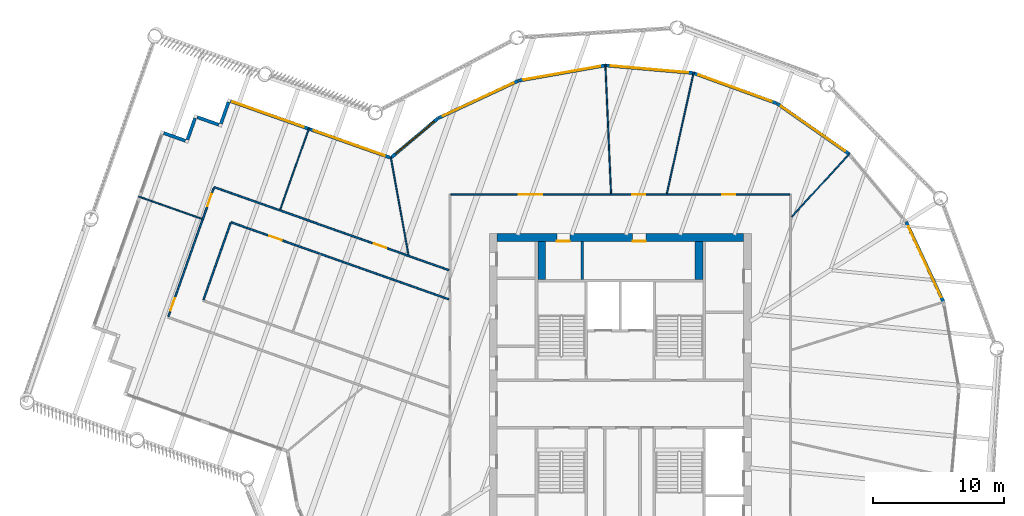
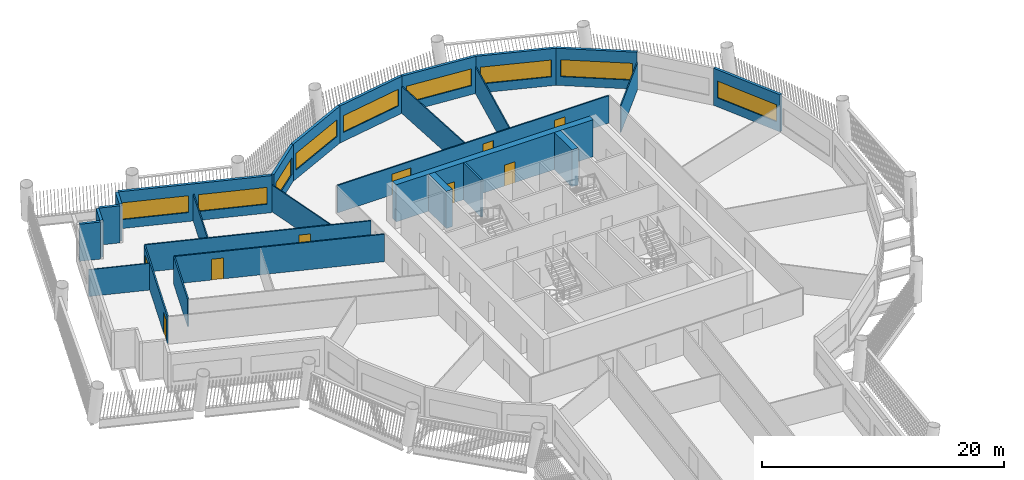
# One storey, part 6 of 15: 27 walls, 9 doors, 9 windows, 18 openings.
"""IFC4 building model written with IfcOpenShell, lengths in metres."""

import ifcopenshell
import ifcopenshell.guid

model = None  # the IFC model being written
_history = None  # IfcOwnerHistory: only IFC2X3 demands one
_inside = {}  # id of a spatial element -> (the spatial element, [elements in it])
_under = {}  # id of a project, library or spatial element -> (it, [spatial elements below it])
_declared = {}  # id of a project -> (the project, [libraries it declares])
_typed = {}  # id of a type object -> (the type object, [elements of that type])
_made_of = {}  # id of a material, layer set ... -> (it, [elements and type objects made of it])


def new_model(schema):
    """Start an empty IFC model of exactly this schema.

    Asked for "IFC4X3", IfcOpenShell would pick the latest addendum, in which some entities
    have other attributes; the version numbers below select the first issue.
    IFC2X3 requires an IfcOwnerHistory on every rooted entity: one is made here for all.
    """
    global model, _history
    if schema == "IFC4X3":
        model = ifcopenshell.file(schema_version=(4, 3, 0, 0))
    else:
        model = ifcopenshell.file(schema=schema)
    _inside.clear()
    _under.clear()
    _declared.clear()
    _typed.clear()
    _made_of.clear()
    _history = None
    if model.schema == "IFC2X3":
        org = make("IfcOrganization", Name="unknown")
        user = make(
            "IfcPersonAndOrganization",
            ThePerson=make("IfcPerson", FamilyName="unknown"),
            TheOrganization=org,
        )
        app = make(
            "IfcApplication",
            ApplicationDeveloper=org,
            Version="unknown",
            ApplicationFullName="unknown",
            ApplicationIdentifier="unknown",
        )
        _history = make(
            "IfcOwnerHistory",
            OwningUser=user,
            OwningApplication=app,
            ChangeAction="ADDED",
            CreationDate=0,
        )
    return model


def make(cls, **values):
    """One entity of the class cls with the attributes given. An attribute that is None is left unset."""
    return model.create_entity(
        cls, **{name: value for name, value in values.items() if value is not None}
    )


def rooted(cls, **values):
    """An entity with a GlobalId (a new one), such as an element, a storey or a relation."""
    return make(cls, GlobalId=ifcopenshell.guid.new(), OwnerHistory=_history, **values)


def si_unit(unit_type, name, prefix=None):
    """IfcSIUnit, for example si_unit("LENGTHUNIT", "METRE", prefix="MILLI")."""
    return make("IfcSIUnit", UnitType=unit_type, Prefix=prefix, Name=name)


def assignment(units):
    """IfcUnitAssignment: the units of a project."""
    return None if units is None else make("IfcUnitAssignment", Units=units)


def point(xyz):
    """IfcCartesianPoint."""
    return None if xyz is None else make("IfcCartesianPoint", Coordinates=xyz)


def direction(xyz):
    """IfcDirection."""
    return None if xyz is None else make("IfcDirection", DirectionRatios=xyz)


def frame(location, z_axis=None, x_axis=None):
    """IfcAxis2Placement3D, a coordinate frame: its origin and axes. An axis left out is left unset."""
    return make(
        "IfcAxis2Placement3D",
        Location=point(location),
        Axis=direction(z_axis),
        RefDirection=direction(x_axis),
    )


def frame_2d(location, x_axis=None):
    """IfcAxis2Placement2D, a coordinate frame in the plane: its origin and x axis."""
    return make(
        "IfcAxis2Placement2D", Location=point(location), RefDirection=direction(x_axis)
    )


def origin():
    """The frame at (0, 0, 0) with its axes left unset."""
    return frame((0.0, 0.0, 0.0))


def place(relative_to, where):
    """IfcLocalPlacement: puts the frame where relative to a parent placement (None: the world)."""
    return make(
        "IfcLocalPlacement", PlacementRelTo=relative_to, RelativePlacement=where
    )


def context(
    kind, dimensions, precision=None, world=None, true_north=None, identifier=None
):
    """IfcGeometricRepresentationContext, for example the 3D "Model" context."""
    return make(
        "IfcGeometricRepresentationContext",
        ContextIdentifier=identifier,
        ContextType=kind,
        CoordinateSpaceDimension=dimensions,
        Precision=precision,
        WorldCoordinateSystem=world,
        TrueNorth=true_north,
    )


def subcontext(parent, identifier, kind, view, scale=None):
    """IfcGeometricRepresentationSubContext, for example "Body" below "Model"."""
    return make(
        "IfcGeometricRepresentationSubContext",
        ContextIdentifier=identifier,
        ContextType=kind,
        ParentContext=parent,
        TargetScale=scale,
        TargetView=view,
    )


def project(units=None, contexts=None):
    """IfcProject with its units and contexts."""
    return rooted(
        "IfcProject",
        Name="project",
        RepresentationContexts=contexts,
        UnitsInContext=assignment(units),
    )


def spatial(cls, under=None, at=None, **own):
    """A site, building, storey or space (cls), placed at a placement, below another one or the project."""
    s = rooted(cls, ObjectPlacement=at, **own)
    if under is not None:
        _under.setdefault(under.id(), (under, []))[1].append(s)
    return s


def profile(cls, at=None, kind="AREA", **sizes):
    """A parametric profile (cls). Its sizes go by their IFC names, for example OverallWidth=200.0."""
    return make(cls, ProfileType=kind, Position=at, **sizes)


def rectangle(**sizes):
    """IfcRectangleProfileDef."""
    return profile("IfcRectangleProfileDef", **sizes)


def extrude(swept, where, along, depth):
    """IfcExtrudedAreaSolid: the profile swept, set in the frame where, extruded along a direction by depth."""
    return make(
        "IfcExtrudedAreaSolid",
        SweptArea=swept,
        Position=where,
        ExtrudedDirection=direction(along),
        Depth=depth,
    )


def shape(context_of_items, identifier, shape_type, items):
    """IfcShapeRepresentation: the items that make up one representation, for example the "Body"."""
    return make(
        "IfcShapeRepresentation",
        ContextOfItems=context_of_items,
        RepresentationIdentifier=identifier,
        RepresentationType=shape_type,
        Items=items,
    )


def material(Name=None, Category=None):
    """IfcMaterial."""
    return make("IfcMaterial", Name=Name, Category=Category)


def layer(
    of_material, thickness, ventilated=None, Name=None, Category=None, Priority=None
):
    """IfcMaterialLayer: one layer of a wall or slab, of a material (None: an air gap)."""
    return make(
        "IfcMaterialLayer",
        Material=of_material,
        LayerThickness=thickness,
        IsVentilated=ventilated,
        Name=Name,
        Category=Category,
        Priority=Priority,
    )


def layer_set(layers, Name=None):
    """IfcMaterialLayerSet."""
    return make("IfcMaterialLayerSet", MaterialLayers=layers, LayerSetName=Name)


def made_of(thing, what):
    """Note that an element or type object is made of a material, layer set ...; save() writes the relation."""
    if what is not None:
        _made_of.setdefault(what.id(), (what, []))[1].append(thing)
    return thing


def type_object(cls, material=None, **own):
    """A type object (cls), such as IfcWallType, which elements share."""
    return made_of(rooted(cls, **own), material)


def element(
    cls,
    number,
    at=None,
    inside=None,
    cuts=None,
    type_object=None,
    material=None,
    context=None,
    identifier="Body",
    shape_type=None,
    held_by="IfcProductDefinitionShape",
    body=None,
    shapes=None,
    **own,
):
    """One element of the class cls, such as IfcWall. Its Tag is "e" and its number.

    at: its placement. inside: the storey or other place that contains it. cuts: it is an
    opening in that element (IfcRelVoidsElement). A single representation is given by context,
    identifier, shape_type and body (its items); several are given by shapes. held_by: the class
    of the entity that holds the representations. save() writes the other relations.
    """
    e = rooted(cls, Tag="e%d" % number, ObjectPlacement=at, **own)
    if body is not None:
        shapes = [shape(context, identifier, shape_type, body)]
    if shapes is not None:
        e.Representation = make(held_by, Representations=shapes)
    if inside is not None:
        _inside.setdefault(inside.id(), (inside, []))[1].append(e)
    if cuts is not None:
        rooted(
            "IfcRelVoidsElement", RelatingBuildingElement=cuts, RelatedOpeningElement=e
        )
    if type_object is not None:
        _typed.setdefault(type_object.id(), (type_object, []))[1].append(e)
    return made_of(e, material)


def fill(opening, filler):
    """IfcRelFillsElement: the door or window that sits in an opening."""
    return rooted(
        "IfcRelFillsElement",
        RelatingOpeningElement=opening,
        RelatedBuildingElement=filler,
    )


def aggregate(whole, parts):
    """IfcRelAggregates: a whole, such as a stair, and the parts it consists of."""
    return rooted("IfcRelAggregates", RelatingObject=whole, RelatedObjects=parts)


def save(model, path):
    """Write the relations noted so far, then the file.

    IfcRelAggregates (storeys below a building ...), IfcRelContainedInSpatialStructure (elements
    in a storey), IfcRelDefinesByType, IfcRelAssociatesMaterial and IfcRelDeclares: one each for
    every whole, place, type object, material and project.
    """
    for whole, parts in _under.values():
        aggregate(whole, parts)
    for where, things in _inside.values():
        rooted(
            "IfcRelContainedInSpatialStructure",
            RelatedElements=things,
            RelatingStructure=where,
        )
    for kind, things in _typed.values():
        rooted("IfcRelDefinesByType", RelatedObjects=things, RelatingType=kind)
    for what, things in _made_of.values():
        rooted("IfcRelAssociatesMaterial", RelatedObjects=things, RelatingMaterial=what)
    for by, libraries in _declared.values():
        rooted("IfcRelDeclares", RelatingContext=by, RelatedDefinitions=libraries)
    model.write(path)


model = new_model("IFC4")

# Units and contexts
model_context = context("Model", 3, precision=1e-05, world=origin(), true_north=direction((0.0, 1.0)))
body_context = subcontext(model_context, "Body", "Model", "MODEL_VIEW")
ifc_project = project(units=[si_unit("LENGTHUNIT", "METRE"), si_unit("AREAUNIT", "SQUARE_METRE"), si_unit("VOLUMEUNIT", "CUBIC_METRE"), si_unit("PLANEANGLEUNIT", "RADIAN"), si_unit("MASSUNIT", "GRAM", prefix="KILO")], contexts=[model_context])

# Site, building, storey
site_placement = place(None, origin())
site = spatial("IfcSite", under=ifc_project, at=site_placement, CompositionType="ELEMENT")
building_placement = place(site_placement, origin())
building = spatial("IfcBuilding", under=site, at=building_placement, Name="Tarsis Ring Headquarters", CompositionType="ELEMENT")
storey_placement = place(building_placement, frame((0.0, 0.0, 204.300048828125)))
storey = spatial("IfcBuildingStorey", under=building, at=storey_placement, Name="L47", CompositionType="ELEMENT", Elevation=204.300048828125)

# Wall
ifc_material_1 = material(Name="Blockwork", Category="masonry")
ifc_layer_1 = layer(ifc_material_1, 0.199951171875)
ifc_layer_set_1 = layer_set([ifc_layer_1], Name="Core blockwork wall 200")
wall_type_1 = type_object("IfcWallType", Name="Core blockwork wall 200", PredefinedType="PARTITIONING", material=ifc_layer_set_1)
wall_1_placement = place(storey_placement, frame((-2.89990234375, 9.5, 0.0), z_axis=(0.0, 0.0, 1.0), x_axis=(0.0, 1.0, 0.0)))
element("IfcWall", 1, at=wall_1_placement, inside=storey, type_object=wall_type_1, Name="Core partition ND1", PredefinedType="PARTITIONING", context=body_context, shape_type="SweptSolid", body=[
    extrude(rectangle(XDim=2.89990234375, YDim=0.199951171875, at=frame_2d((1.449951171875, 0.0))), origin(), (0.0, 0.0, 1.0), 3.739990234375),
])

# Wall, openings, doors
ifc_material_2 = material(Name="Concrete C50/60", Category="concrete")
ifc_layer_2 = layer(ifc_material_2, 0.60009765625)
ifc_layer_set_2 = layer_set([ifc_layer_2], Name="Core wall 600 C50/60")
wall_type_2 = type_object("IfcWallType", Name="Core wall 600 C50/60", PredefinedType="SHEAR", material=ifc_layer_set_2)
wall_2_placement = place(storey_placement, frame((-9.39990234375, 12.699951171875, 0.0), z_axis=(0.0, 0.0, 1.0), x_axis=(1.0, 0.0, 0.0)))
wall_2 = element("IfcWall", 2, at=wall_2_placement, inside=storey, type_object=wall_type_2, Name="Core wall ON", PredefinedType="SHEAR", context=body_context, shape_type="SweptSolid", body=[
    extrude(rectangle(XDim=18.7998046875, YDim=0.60009765625, at=frame_2d((9.39990234375, 0.0))), origin(), (0.0, 0.0, 1.0), 3.739990234375),
])
opening_1_placement = place(wall_2_placement, frame((4.550048828125, 0.0, 0.0)))
opening_1 = element("IfcOpeningElement", 3, at=opening_1_placement, cuts=wall_2, Name="Opening L47-C14", PredefinedType="OPENING", context=body_context, shape_type="SweptSolid", body=[
    extrude(rectangle(XDim=1.0, YDim=2.10009765625, at=frame_2d((0.5, 1.050048828125))), frame((0.0, 0.31005859375, 0.0), z_axis=(0.0, -1.0, 0.0), x_axis=(1.0, 0.0, 0.0)), (0.0, 0.0, 1.0), 0.6201171875),
])
opening_2_placement = place(wall_2_placement, frame((10.35009765625, 0.0, 0.0)))
opening_2 = element("IfcOpeningElement", 4, at=opening_2_placement, cuts=wall_2, Name="Opening L47-C15", PredefinedType="OPENING", context=body_context, shape_type="SweptSolid", body=[
    extrude(rectangle(XDim=1.0, YDim=2.10009765625, at=frame_2d((0.5, 1.050048828125))), frame((0.0, 0.31005859375, 0.0), z_axis=(0.0, -1.0, 0.0), x_axis=(1.0, 0.0, 0.0)), (0.0, 0.0, 1.0), 0.6201171875),
])
ifc_material_3 = material(Name="Steel S355", Category="steel")
door_type_1 = type_object("IfcDoorType", Name="Core room door 1000x2100", OperationType="SINGLE_SWING_LEFT", PredefinedType="DOOR", material=ifc_material_3)
door_1_placement = place(opening_1_placement, origin())
door_1 = element("IfcDoor", 5, at=door_1_placement, inside=storey, type_object=door_type_1, Name="Core room door L47", OperationType="SINGLE_SWING_LEFT", OverallHeight=2.10009765625, OverallWidth=1.0, PredefinedType="DOOR", context=body_context, shape_type="SweptSolid", body=[
    extrude(rectangle(XDim=1.0, YDim=2.10009765625, at=frame_2d((0.5, 1.050048828125))), frame((0.0, -0.25, 0.0), z_axis=(0.0, -1.0, 0.0), x_axis=(1.0, 0.0, 0.0)), (0.0, 0.0, 1.0), 0.050048828125),
])
fill(opening_1, door_1)
door_2_placement = place(opening_2_placement, origin())
door_2 = element("IfcDoor", 6, at=door_2_placement, inside=storey, type_object=door_type_1, Name="Core room door L47", OperationType="SINGLE_SWING_LEFT", OverallHeight=2.10009765625, OverallWidth=1.0, PredefinedType="DOOR", context=body_context, shape_type="SweptSolid", body=[
    extrude(rectangle(XDim=1.0, YDim=2.10009765625, at=frame_2d((0.5, 1.050048828125))), frame((0.0, -0.25, 0.0), z_axis=(0.0, -1.0, 0.0), x_axis=(1.0, 0.0, 0.0)), (0.0, 0.0, 1.0), 0.050048828125),
])
fill(opening_2, door_2)

# Walls
ifc_material_4 = material(Name="Gypsum board on steel studs", Category="steel")
ifc_layer_3 = layer(ifc_material_4, 0.10009765625)
ifc_layer_set_3 = layer_set([ifc_layer_3], Name="FL partition 100 unrated")
wall_type_3 = type_object("IfcWallType", Name="FL partition 100 unrated", PredefinedType="PARTITIONING", material=ifc_layer_set_3)
wall_3_placement = place(storey_placement, frame((-1.140869140625, 25.922607421875, 0.0), z_axis=(0.0, 0.0, 1.0), x_axis=(0.043964684203, -0.99903308581, 0.0)))
element("IfcWall", 7, at=wall_3_placement, inside=storey, type_object=wall_type_3, Name="Partition PW3", PredefinedType="PARTITIONING", context=body_context, shape_type="SweptSolid", body=[
    extrude(rectangle(XDim=9.8623046875, YDim=0.10009765625, at=frame_2d((4.93115234375, 0.0))), origin(), (0.0, 0.0, 1.0), 2.699951171875),
])
wall_4_placement = place(storey_placement, frame((3.556396484375, 16.068359375, 0.0), z_axis=(0.0, 0.0, 1.0), x_axis=(0.216110530138, 0.976368905058, 0.0)))
element("IfcWall", 8, at=wall_4_placement, inside=storey, type_object=wall_type_3, Name="Partition PW3", PredefinedType="PARTITIONING", context=body_context, shape_type="SweptSolid", body=[
    extrude(rectangle(XDim=9.49072265625, YDim=0.10009765625, at=frame_2d((4.745361328125, 0.0))), origin(), (0.0, 0.0, 1.0), 2.699951171875),
])
wall_5_placement = place(storey_placement, frame((-17.520751953125, 18.8466796875, 0.0), z_axis=(0.0, 0.0, 1.0), x_axis=(0.178292537101, -0.983977525767, 0.0)))
element("IfcWall", 9, at=wall_5_placement, inside=storey, type_object=wall_type_3, Name="Partition PW3", PredefinedType="PARTITIONING", context=body_context, shape_type="SweptSolid", body=[
    extrude(rectangle(XDim=7.57373046875, YDim=0.10009765625, at=frame_2d((3.786865234375, 0.0))), origin(), (0.0, 0.0, 1.0), 2.699951171875),
])
wall_6_placement = place(storey_placement, frame((13.087890625, 14.292724609375, 0.0), z_axis=(0.0, 0.0, 1.0), x_axis=(0.675310458527, 0.737533582018, 0.0)))
element("IfcWall", 10, at=wall_6_placement, inside=storey, type_object=wall_type_3, Name="Partition PW3", PredefinedType="PARTITIONING", context=body_context, shape_type="SweptSolid", body=[
    extrude(rectangle(XDim=6.568115234375, YDim=0.10009765625, at=frame_2d((3.2841796875, 0.0))), origin(), (0.0, 0.0, 1.0), 2.699951171875),
])
wall_7_placement = place(storey_placement, frame((-25.955078125, 14.84521484375, 0.0), z_axis=(0.0, 0.0, 1.0), x_axis=(0.333449871791, 0.942767830912, 0.0)))
element("IfcWall", 11, at=wall_7_placement, inside=storey, type_object=wall_type_3, Name="Partition PW3", PredefinedType="PARTITIONING", context=body_context, shape_type="SweptSolid", body=[
    extrude(rectangle(XDim=6.610107421875, YDim=0.10009765625, at=frame_2d((3.30517578125, 0.0))), origin(), (0.0, 0.0, 1.0), 2.699951171875),
])
wall_8_placement = place(storey_placement, frame((-36.772705078125, 15.839599609375, 0.0), z_axis=(0.0, 0.0, 1.0), x_axis=(0.942762558634, -0.333464777807, 0.0)))
element("IfcWall", 12, at=wall_8_placement, inside=storey, type_object=wall_type_3, Name="Partition PW3", PredefinedType="PARTITIONING", context=body_context, shape_type="SweptSolid", body=[
    extrude(rectangle(XDim=5.130126953125, YDim=0.10009765625, at=frame_2d((2.56494140625, 0.0))), origin(), (0.0, 0.0, 1.0), 2.699951171875),
])

# Wall, openings, doors
ifc_layer_4 = layer(ifc_material_4, 0.125)
ifc_layer_set_4 = layer_set([ifc_layer_4], Name="FL partition 125 EI 60 H2770")
wall_type_4 = type_object("IfcWallType", Name="FL partition 125 EI 60 H2770", PredefinedType="PARTITIONING", material=ifc_layer_set_4)
wall_9_placement = place(storey_placement, frame((-12.93994140625, 16.0, 0.0), z_axis=(0.0, 0.0, 1.0), x_axis=(1.0, 0.0, 0.0)))
wall_9 = element("IfcWall", 13, at=wall_9_placement, inside=storey, type_object=wall_type_4, Name="Partition PW1", PredefinedType="PARTITIONING", context=body_context, shape_type="SweptSolid", body=[
    extrude(rectangle(XDim=25.8798828125, YDim=0.125, at=frame_2d((12.93994140625, 0.0))), origin(), (0.0, 0.0, 1.0), 2.77001953125),
])
opening_3_placement = place(wall_9_placement, frame((5.18798828125, 0.0, 0.0)))
opening_3 = element("IfcOpeningElement", 14, at=opening_3_placement, cuts=wall_9, Name="Opening D47.04", PredefinedType="OPENING", context=body_context, shape_type="SweptSolid", body=[
    extrude(rectangle(XDim=1.800048828125, YDim=2.10009765625, at=frame_2d((0.89990234375, 1.050048828125))), frame((0.0, 0.072509765625, 0.0), z_axis=(0.0, -1.0, 0.0), x_axis=(1.0, 0.0, 0.0)), (0.0, 0.0, 1.0), 0.14501953125),
])
opening_4_placement = place(wall_9_placement, frame((13.8583984375, 0.0, 0.0)))
opening_4 = element("IfcOpeningElement", 15, at=opening_4_placement, cuts=wall_9, Name="Opening D47.05", PredefinedType="OPENING", context=body_context, shape_type="SweptSolid", body=[
    extrude(rectangle(XDim=1.0, YDim=2.10009765625, at=frame_2d((0.5, 1.050048828125))), frame((0.0, 0.072509765625, 0.0), z_axis=(0.0, -1.0, 0.0), x_axis=(1.0, 0.0, 0.0)), (0.0, 0.0, 1.0), 0.14501953125),
])
opening_5_placement = place(wall_9_placement, frame((20.710693359375, 0.0, 0.0)))
opening_5 = element("IfcOpeningElement", 16, at=opening_5_placement, cuts=wall_9, Name="Opening D47.06", PredefinedType="OPENING", context=body_context, shape_type="SweptSolid", body=[
    extrude(rectangle(XDim=1.0, YDim=2.10009765625, at=frame_2d((0.5, 1.050048828125))), frame((0.0, 0.072509765625, 0.0), z_axis=(0.0, -1.0, 0.0), x_axis=(1.0, 0.0, 0.0)), (0.0, 0.0, 1.0), 0.14501953125),
])
ifc_material_5 = material(Name="Fire-rated timber door leaf in steel frame", Category="steel")
door_type_2 = type_object("IfcDoorType", Name="FL door FD60-1000", OperationType="NOTDEFINED", PredefinedType="DOOR", material=ifc_material_5)
door_3_placement = place(opening_4_placement, origin())
door_3 = element("IfcDoor", 17, at=door_3_placement, inside=storey, type_object=door_type_2, Name="Door D47.05", OperationType="SINGLE_SWING_RIGHT", OverallHeight=2.10009765625, OverallWidth=1.0, PredefinedType="DOOR", context=body_context, shape_type="SweptSolid", body=[
    extrude(rectangle(XDim=1.0, YDim=2.10009765625, at=frame_2d((0.5, 1.050048828125))), frame((0.0, 0.02490234375, 0.0), z_axis=(0.0, -1.0, 0.0), x_axis=(1.0, 0.0, 0.0)), (0.0, 0.0, 1.0), 0.050048828125),
])
fill(opening_4, door_3)
door_4_placement = place(opening_5_placement, origin())
door_4 = element("IfcDoor", 18, at=door_4_placement, inside=storey, type_object=door_type_2, Name="Door D47.06", OperationType="SINGLE_SWING_LEFT", OverallHeight=2.10009765625, OverallWidth=1.0, PredefinedType="DOOR", context=body_context, shape_type="SweptSolid", body=[
    extrude(rectangle(XDim=1.0, YDim=2.10009765625, at=frame_2d((0.5, 1.050048828125))), frame((0.0, 0.02490234375, 0.0), z_axis=(0.0, -1.0, 0.0), x_axis=(1.0, 0.0, 0.0)), (0.0, 0.0, 1.0), 0.050048828125),
])
fill(opening_5, door_4)
door_type_3 = type_object("IfcDoorType", Name="FL door FD60-1800", OperationType="DOUBLE_DOOR_SINGLE_SWING", PredefinedType="DOOR", material=ifc_material_5)
door_5_placement = place(opening_3_placement, origin())
door_5 = element("IfcDoor", 19, at=door_5_placement, inside=storey, type_object=door_type_3, Name="Door D47.04", OperationType="DOUBLE_DOOR_SINGLE_SWING", OverallHeight=2.10009765625, OverallWidth=1.800048828125, PredefinedType="DOOR", context=body_context, shape_type="SweptSolid", body=[
    extrude(rectangle(XDim=1.800048828125, YDim=2.10009765625, at=frame_2d((0.89990234375, 1.050048828125))), frame((0.0, 0.02490234375, 0.0), z_axis=(0.0, -1.0, 0.0), x_axis=(1.0, 0.0, 0.0)), (0.0, 0.0, 1.0), 0.050048828125),
])
fill(opening_3, door_5)

# Wall, opening, door
wall_10_placement = place(storey_placement, frame((-31.00341796875, 16.556640625, 0.0), z_axis=(0.0, 0.0, 1.0), x_axis=(0.94275854101, -0.333476136107, 0.0)))
wall_10 = element("IfcWall", 20, at=wall_10_placement, inside=storey, type_object=wall_type_4, Name="Partition PW1", PredefinedType="PARTITIONING", context=body_context, shape_type="SweptSolid", body=[
    extrude(rectangle(XDim=19.0166015625, YDim=0.125, at=frame_2d((9.50830078125, 0.0))), origin(), (0.0, 0.0, 1.0), 2.77001953125),
])
opening_6_placement = place(wall_10_placement, frame((12.947265625, 0.0, 0.0)))
opening_6 = element("IfcOpeningElement", 21, at=opening_6_placement, cuts=wall_10, Name="Opening D47.03", PredefinedType="OPENING", context=body_context, shape_type="SweptSolid", body=[
    extrude(rectangle(XDim=1.0, YDim=2.10009765625, at=frame_2d((0.5, 1.050048828125))), frame((0.0, 0.072509765625, 0.0), z_axis=(0.0, -1.0, 0.0), x_axis=(1.0, 0.0, 0.0)), (0.0, 0.0, 1.0), 0.14501953125),
])
door_6_placement = place(opening_6_placement, origin())
door_6 = element("IfcDoor", 22, at=door_6_placement, inside=storey, type_object=door_type_2, Name="Door D47.03", OperationType="SINGLE_SWING_RIGHT", OverallHeight=2.10009765625, OverallWidth=1.0, PredefinedType="DOOR", context=body_context, shape_type="SweptSolid", body=[
    extrude(rectangle(XDim=1.0, YDim=2.10009765625, at=frame_2d((0.5, 1.050048828125))), frame((0.0, 0.02490234375, 0.0), z_axis=(0.0, -1.0, 0.0), x_axis=(1.0, 0.0, 0.0)), (0.0, 0.0, 1.0), 0.050048828125),
])
fill(opening_6, door_6)

wall_11_placement = place(storey_placement, frame((-29.723876953125, 13.876708984375, 0.0), z_axis=(0.0, 0.0, 1.0), x_axis=(0.942754775005, -0.333486782653, 0.0)))
wall_11 = element("IfcWall", 23, at=wall_11_placement, inside=storey, type_object=wall_type_4, Name="Partition PW1", PredefinedType="PARTITIONING", context=body_context, shape_type="SweptSolid", body=[
    extrude(rectangle(XDim=17.659423828125, YDim=0.125, at=frame_2d((8.82958984375, 0.0))), origin(), (0.0, 0.0, 1.0), 2.77001953125),
])
opening_7_placement = place(wall_11_placement, frame((3.118408203125, 0.0, 0.0)))
opening_7 = element("IfcOpeningElement", 24, at=opening_7_placement, cuts=wall_11, Name="Opening D47.15", PredefinedType="OPENING", context=body_context, shape_type="SweptSolid", body=[
    extrude(rectangle(XDim=1.0, YDim=2.10009765625, at=frame_2d((0.5, 1.050048828125))), frame((0.0, 0.072509765625, 0.0), z_axis=(0.0, -1.0, 0.0), x_axis=(1.0, 0.0, 0.0)), (0.0, 0.0, 1.0), 0.14501953125),
])
door_7_placement = place(opening_7_placement, origin())
door_7 = element("IfcDoor", 25, at=door_7_placement, inside=storey, type_object=door_type_2, Name="Door D47.15", OperationType="SINGLE_SWING_RIGHT", OverallHeight=2.10009765625, OverallWidth=1.0, PredefinedType="DOOR", context=body_context, shape_type="SweptSolid", body=[
    extrude(rectangle(XDim=1.0, YDim=2.10009765625, at=frame_2d((0.5, 1.050048828125))), frame((0.0, 0.02490234375, 0.0), z_axis=(0.0, -1.0, 0.0), x_axis=(1.0, 0.0, 0.0)), (0.0, 0.0, 1.0), 0.050048828125),
])
fill(opening_7, door_7)

# Wall, openings, doors
wall_12_placement = place(storey_placement, frame((-34.498291015625, 6.676513671875, 0.0), z_axis=(0.0, 0.0, 1.0), x_axis=(0.333480620722, 0.942756954683, 0.0)))
wall_12 = element("IfcWall", 26, at=wall_12_placement, inside=storey, type_object=wall_type_4, Name="Partition PW1", PredefinedType="PARTITIONING", context=body_context, shape_type="SweptSolid", body=[
    extrude(rectangle(XDim=10.419921875, YDim=0.125, at=frame_2d((5.2099609375, 0.0))), origin(), (0.0, 0.0, 1.0), 2.77001953125),
])
opening_8_placement = place(wall_12_placement, frame((0.489990234375, 0.0, 0.0)))
opening_8 = element("IfcOpeningElement", 27, at=opening_8_placement, cuts=wall_12, Name="Opening D47.01", PredefinedType="OPENING", context=body_context, shape_type="SweptSolid", body=[
    extrude(rectangle(XDim=1.0, YDim=2.10009765625, at=frame_2d((0.5, 1.050048828125))), frame((0.0, 0.072509765625, 0.0), z_axis=(0.0, -1.0, 0.0), x_axis=(1.0, 0.0, 0.0)), (0.0, 0.0, 1.0), 0.14501953125),
])
opening_9_placement = place(wall_12_placement, frame((8.929931640625, 0.0, 0.0)))
opening_9 = element("IfcOpeningElement", 28, at=opening_9_placement, cuts=wall_12, Name="Opening D47.02", PredefinedType="OPENING", context=body_context, shape_type="SweptSolid", body=[
    extrude(rectangle(XDim=1.0, YDim=2.10009765625, at=frame_2d((0.5, 1.050048828125))), frame((0.0, 0.072509765625, 0.0), z_axis=(0.0, -1.0, 0.0), x_axis=(1.0, 0.0, 0.0)), (0.0, 0.0, 1.0), 0.14501953125),
])
door_8_placement = place(opening_8_placement, origin())
door_8 = element("IfcDoor", 29, at=door_8_placement, inside=storey, type_object=door_type_2, Name="Door D47.01", OperationType="SINGLE_SWING_RIGHT", OverallHeight=2.10009765625, OverallWidth=1.0, PredefinedType="DOOR", context=body_context, shape_type="SweptSolid", body=[
    extrude(rectangle(XDim=1.0, YDim=2.10009765625, at=frame_2d((0.5, 1.050048828125))), frame((0.0, 0.02490234375, 0.0), z_axis=(0.0, -1.0, 0.0), x_axis=(1.0, 0.0, 0.0)), (0.0, 0.0, 1.0), 0.050048828125),
])
fill(opening_8, door_8)
door_9_placement = place(opening_9_placement, origin())
door_9 = element("IfcDoor", 30, at=door_9_placement, inside=storey, type_object=door_type_2, Name="Door D47.02", OperationType="SINGLE_SWING_LEFT", OverallHeight=2.10009765625, OverallWidth=1.0, PredefinedType="DOOR", context=body_context, shape_type="SweptSolid", body=[
    extrude(rectangle(XDim=1.0, YDim=2.10009765625, at=frame_2d((0.5, 1.050048828125))), frame((0.0, 0.02490234375, 0.0), z_axis=(0.0, -1.0, 0.0), x_axis=(1.0, 0.0, 0.0)), (0.0, 0.0, 1.0), 0.050048828125),
])
fill(opening_9, door_9)

# Wall
wall_13_placement = place(storey_placement, frame((-31.818115234375, 7.9560546875, 0.0), z_axis=(0.0, 0.0, 1.0), x_axis=(0.333472926071, 0.94275967647, 0.0)))
element("IfcWall", 31, at=wall_13_placement, inside=storey, type_object=wall_type_4, Name="Partition PW1", PredefinedType="PARTITIONING", context=body_context, shape_type="SweptSolid", body=[
    extrude(rectangle(XDim=6.219970703125, YDim=0.125, at=frame_2d((3.10986328125, 0.0))), origin(), (0.0, 0.0, 1.0), 2.77001953125),
])

# Wall, opening, window
ifc_material_6 = material(Name="Terracotta clad insulated panel wall", Category="masonry")
ifc_layer_5 = layer(ifc_material_6, 0.25)
ifc_layer_set_5 = layer_set([ifc_layer_5], Name="Facade wall terracotta panel 250")
wall_type_5 = type_object("IfcWallType", Name="Facade wall terracotta panel 250", PredefinedType="STANDARD", material=ifc_layer_set_5)
wall_14_placement = place(storey_placement, frame((24.666748046875, 7.803955078125, 0.0), z_axis=(0.0, 0.0, 1.0), x_axis=(-0.42293318706, 0.906160868325, 0.0)))
wall_14 = element("IfcWall", 32, at=wall_14_placement, inside=storey, type_object=wall_type_5, Name="External wall L47-23", PredefinedType="STANDARD", context=body_context, shape_type="SweptSolid", body=[
    extrude(rectangle(XDim=6.7216796875, YDim=0.25, at=frame_2d((3.36083984375, 0.0))), origin(), (0.0, 0.0, 1.0), 3.739990234375),
])
opening_10_placement = place(wall_14_placement, frame((0.3857421875, 0.0, 0.89990234375)))
opening_10 = element("IfcOpeningElement", 33, at=opening_10_placement, cuts=wall_14, Name="Opening WN07", PredefinedType="OPENING", context=body_context, shape_type="SweptSolid", body=[
    extrude(rectangle(XDim=5.949951171875, YDim=1.699951171875, at=frame_2d((2.97509765625, 0.85009765625))), frame((0.0, 0.135009765625, 0.0), z_axis=(0.0, -1.0, 0.0), x_axis=(1.0, 0.0, 0.0)), (0.0, 0.0, 1.0), 0.27001953125),
])
ifc_material_7 = material(Name="Aluminium framed double glazing", Category="aluminium")
window_type_1 = type_object("IfcWindowType", Name="Facade window 5950 x 1700", PartitioningType="SINGLE_PANEL", PredefinedType="WINDOW", material=ifc_material_7)
window_1_placement = place(opening_10_placement, origin())
window_1 = element("IfcWindow", 34, at=window_1_placement, inside=storey, type_object=window_type_1, Name="Window L47-23.1", OverallHeight=1.699951171875, OverallWidth=5.949951171875, PartitioningType="SINGLE_PANEL", PredefinedType="WINDOW", context=body_context, shape_type="SweptSolid", body=[
    extrude(rectangle(XDim=5.949951171875, YDim=1.699951171875, at=frame_2d((2.97509765625, 0.85009765625))), frame((0.0, 0.030029296875, 0.0), z_axis=(0.0, -1.0, 0.0), x_axis=(1.0, 0.0, 0.0)), (0.0, 0.0, 1.0), 0.06005859375),
])
fill(opening_10, window_1)

wall_15_placement = place(storey_placement, frame((17.4599609375, 19.091796875, 0.0), z_axis=(0.0, 0.0, 1.0), x_axis=(-0.819361587743, 0.573277060881, 0.0)))
wall_15 = element("IfcWall", 35, at=wall_15_placement, inside=storey, type_object=wall_type_5, Name="External wall L47-25", PredefinedType="STANDARD", context=body_context, shape_type="SweptSolid", body=[
    extrude(rectangle(XDim=6.721435546875, YDim=0.25, at=frame_2d((3.36083984375, 0.0))), origin(), (0.0, 0.0, 1.0), 3.739990234375),
])
opening_11_placement = place(wall_15_placement, frame((0.3857421875, 0.0, 0.89990234375)))
opening_11 = element("IfcOpeningElement", 36, at=opening_11_placement, cuts=wall_15, Name="Opening WN07", PredefinedType="OPENING", context=body_context, shape_type="SweptSolid", body=[
    extrude(rectangle(XDim=5.949951171875, YDim=1.699951171875, at=frame_2d((2.97509765625, 0.85009765625))), frame((0.0, 0.135009765625, 0.0), z_axis=(0.0, -1.0, 0.0), x_axis=(1.0, 0.0, 0.0)), (0.0, 0.0, 1.0), 0.27001953125),
])
window_2_placement = place(opening_11_placement, origin())
window_2 = element("IfcWindow", 37, at=window_2_placement, inside=storey, type_object=window_type_1, Name="Window L47-25.1", OverallHeight=1.699951171875, OverallWidth=5.949951171875, PartitioningType="SINGLE_PANEL", PredefinedType="WINDOW", context=body_context, shape_type="SweptSolid", body=[
    extrude(rectangle(XDim=5.949951171875, YDim=1.699951171875, at=frame_2d((2.97509765625, 0.85009765625))), frame((0.0, 0.030029296875, 0.0), z_axis=(0.0, -1.0, 0.0), x_axis=(1.0, 0.0, 0.0)), (0.0, 0.0, 1.0), 0.06005859375),
])
fill(opening_11, window_2)

wall_16_placement = place(storey_placement, frame((11.923828125, 22.960205078125, 0.0), z_axis=(0.0, 0.0, 1.0), x_axis=(-0.939817812149, 0.341675986817, 0.0)))
wall_16 = element("IfcWall", 38, at=wall_16_placement, inside=storey, type_object=wall_type_5, Name="External wall L47-26", PredefinedType="STANDARD", context=body_context, shape_type="SweptSolid", body=[
    extrude(rectangle(XDim=6.7216796875, YDim=0.25, at=frame_2d((3.36083984375, 0.0))), origin(), (0.0, 0.0, 1.0), 3.739990234375),
])
opening_12_placement = place(wall_16_placement, frame((0.3857421875, 0.0, 0.89990234375)))
opening_12 = element("IfcOpeningElement", 39, at=opening_12_placement, cuts=wall_16, Name="Opening WN07", PredefinedType="OPENING", context=body_context, shape_type="SweptSolid", body=[
    extrude(rectangle(XDim=5.949951171875, YDim=1.699951171875, at=frame_2d((2.97509765625, 0.85009765625))), frame((0.0, 0.135009765625, 0.0), z_axis=(0.0, -1.0, 0.0), x_axis=(1.0, 0.0, 0.0)), (0.0, 0.0, 1.0), 0.27001953125),
])
window_3_placement = place(opening_12_placement, origin())
window_3 = element("IfcWindow", 40, at=window_3_placement, inside=storey, type_object=window_type_1, Name="Window L47-26.1", OverallHeight=1.699951171875, OverallWidth=5.949951171875, PartitioningType="SINGLE_PANEL", PredefinedType="WINDOW", context=body_context, shape_type="SweptSolid", body=[
    extrude(rectangle(XDim=5.949951171875, YDim=1.699951171875, at=frame_2d((2.97509765625, 0.85009765625))), frame((0.0, 0.030029296875, 0.0), z_axis=(0.0, -1.0, 0.0), x_axis=(1.0, 0.0, 0.0)), (0.0, 0.0, 1.0), 0.06005859375),
])
fill(opening_12, window_3)

wall_17_placement = place(storey_placement, frame((5.574951171875, 25.263916015625, 0.0), z_axis=(0.0, 0.0, 1.0), x_axis=(-0.996225035037, 0.086808292028, 0.0)))
wall_17 = element("IfcWall", 41, at=wall_17_placement, inside=storey, type_object=wall_type_5, Name="External wall L47-27", PredefinedType="STANDARD", context=body_context, shape_type="SweptSolid", body=[
    extrude(rectangle(XDim=6.7216796875, YDim=0.25, at=frame_2d((3.36083984375, 0.0))), origin(), (0.0, 0.0, 1.0), 3.739990234375),
])
opening_13_placement = place(wall_17_placement, frame((0.3857421875, 0.0, 0.89990234375)))
opening_13 = element("IfcOpeningElement", 42, at=opening_13_placement, cuts=wall_17, Name="Opening WN07", PredefinedType="OPENING", context=body_context, shape_type="SweptSolid", body=[
    extrude(rectangle(XDim=5.949951171875, YDim=1.699951171875, at=frame_2d((2.97509765625, 0.85009765625))), frame((0.0, 0.135009765625, 0.0), z_axis=(0.0, -1.0, 0.0), x_axis=(1.0, 0.0, 0.0)), (0.0, 0.0, 1.0), 0.27001953125),
])
window_4_placement = place(opening_13_placement, origin())
window_4 = element("IfcWindow", 43, at=window_4_placement, inside=storey, type_object=window_type_1, Name="Window L47-27.1", OverallHeight=1.699951171875, OverallWidth=5.949951171875, PartitioningType="SINGLE_PANEL", PredefinedType="WINDOW", context=body_context, shape_type="SweptSolid", body=[
    extrude(rectangle(XDim=5.949951171875, YDim=1.699951171875, at=frame_2d((2.97509765625, 0.85009765625))), frame((0.0, 0.030029296875, 0.0), z_axis=(0.0, -1.0, 0.0), x_axis=(1.0, 0.0, 0.0)), (0.0, 0.0, 1.0), 0.06005859375),
])
fill(opening_13, window_4)

wall_18_placement = place(storey_placement, frame((-1.15380859375, 25.845947265625, 0.0), z_axis=(0.0, 0.0, 1.0), x_axis=(-0.984749168182, -0.173980101637, 0.0)))
wall_18 = element("IfcWall", 44, at=wall_18_placement, inside=storey, type_object=wall_type_5, Name="External wall L47-28", PredefinedType="STANDARD", context=body_context, shape_type="SweptSolid", body=[
    extrude(rectangle(XDim=6.7216796875, YDim=0.25, at=frame_2d((3.36083984375, 0.0))), origin(), (0.0, 0.0, 1.0), 3.739990234375),
])
opening_14_placement = place(wall_18_placement, frame((0.3857421875, 0.0, 0.89990234375)))
opening_14 = element("IfcOpeningElement", 45, at=opening_14_placement, cuts=wall_18, Name="Opening WN07", PredefinedType="OPENING", context=body_context, shape_type="SweptSolid", body=[
    extrude(rectangle(XDim=5.949951171875, YDim=1.699951171875, at=frame_2d((2.97509765625, 0.85009765625))), frame((0.0, 0.135009765625, 0.0), z_axis=(0.0, -1.0, 0.0), x_axis=(1.0, 0.0, 0.0)), (0.0, 0.0, 1.0), 0.27001953125),
])
window_5_placement = place(opening_14_placement, origin())
window_5 = element("IfcWindow", 46, at=window_5_placement, inside=storey, type_object=window_type_1, Name="Window L47-28.1", OverallHeight=1.699951171875, OverallWidth=5.949951171875, PartitioningType="SINGLE_PANEL", PredefinedType="WINDOW", context=body_context, shape_type="SweptSolid", body=[
    extrude(rectangle(XDim=5.949951171875, YDim=1.699951171875, at=frame_2d((2.97509765625, 0.85009765625))), frame((0.0, 0.030029296875, 0.0), z_axis=(0.0, -1.0, 0.0), x_axis=(1.0, 0.0, 0.0)), (0.0, 0.0, 1.0), 0.06005859375),
])
fill(opening_14, window_5)

wall_19_placement = place(storey_placement, frame((-7.803955078125, 24.666748046875, 0.0), z_axis=(0.0, 0.0, 1.0), x_axis=(-0.906160868325, -0.42293318706, 0.0)))
wall_19 = element("IfcWall", 47, at=wall_19_placement, inside=storey, type_object=wall_type_5, Name="External wall L47-29", PredefinedType="STANDARD", context=body_context, shape_type="SweptSolid", body=[
    extrude(rectangle(XDim=6.7216796875, YDim=0.25, at=frame_2d((3.36083984375, 0.0))), origin(), (0.0, 0.0, 1.0), 3.739990234375),
])
opening_15_placement = place(wall_19_placement, frame((0.3857421875, 0.0, 0.89990234375)))
opening_15 = element("IfcOpeningElement", 48, at=opening_15_placement, cuts=wall_19, Name="Opening WN07", PredefinedType="OPENING", context=body_context, shape_type="SweptSolid", body=[
    extrude(rectangle(XDim=5.949951171875, YDim=1.699951171875, at=frame_2d((2.97509765625, 0.85009765625))), frame((0.0, 0.135009765625, 0.0), z_axis=(0.0, -1.0, 0.0), x_axis=(1.0, 0.0, 0.0)), (0.0, 0.0, 1.0), 0.27001953125),
])
window_6_placement = place(opening_15_placement, origin())
window_6 = element("IfcWindow", 49, at=window_6_placement, inside=storey, type_object=window_type_1, Name="Window L47-29.1", OverallHeight=1.699951171875, OverallWidth=5.949951171875, PartitioningType="SINGLE_PANEL", PredefinedType="WINDOW", context=body_context, shape_type="SweptSolid", body=[
    extrude(rectangle(XDim=5.949951171875, YDim=1.699951171875, at=frame_2d((2.97509765625, 0.85009765625))), frame((0.0, 0.030029296875, 0.0), z_axis=(0.0, -1.0, 0.0), x_axis=(1.0, 0.0, 0.0)), (0.0, 0.0, 1.0), 0.06005859375),
])
fill(opening_15, window_6)

wall_20_placement = place(storey_placement, frame((-13.92236328125, 21.806396484375, 0.0), z_axis=(0.0, 0.0, 1.0), x_axis=(-0.765819420463, -0.643055685957, 0.0)))
wall_20 = element("IfcWall", 50, at=wall_20_placement, inside=storey, type_object=wall_type_5, Name="External wall L47-30", PredefinedType="STANDARD", context=body_context, shape_type="SweptSolid", body=[
    extrude(rectangle(XDim=4.61767578125, YDim=0.25, at=frame_2d((2.308837890625, 0.0))), origin(), (0.0, 0.0, 1.0), 3.739990234375),
])
opening_16_placement = place(wall_20_placement, frame((0.367431640625, 0.0, 0.89990234375)))
opening_16 = element("IfcOpeningElement", 51, at=opening_16_placement, cuts=wall_20, Name="Opening WN02", PredefinedType="OPENING", context=body_context, shape_type="SweptSolid", body=[
    extrude(rectangle(XDim=3.85009765625, YDim=1.699951171875, at=frame_2d((1.925048828125, 0.85009765625))), frame((0.0, 0.135009765625, 0.0), z_axis=(0.0, -1.0, 0.0), x_axis=(1.0, 0.0, 0.0)), (0.0, 0.0, 1.0), 0.27001953125),
])
window_type_2 = type_object("IfcWindowType", Name="Facade window 3850 x 1700", PartitioningType="SINGLE_PANEL", PredefinedType="WINDOW", material=ifc_material_7)
window_7_placement = place(opening_16_placement, origin())
window_7 = element("IfcWindow", 52, at=window_7_placement, inside=storey, type_object=window_type_2, Name="Window L47-30.1", OverallHeight=1.699951171875, OverallWidth=3.85009765625, PartitioningType="SINGLE_PANEL", PredefinedType="WINDOW", context=body_context, shape_type="SweptSolid", body=[
    extrude(rectangle(XDim=3.85009765625, YDim=1.699951171875, at=frame_2d((1.925048828125, 0.85009765625))), frame((0.0, 0.030029296875, 0.0), z_axis=(0.0, -1.0, 0.0), x_axis=(1.0, 0.0, 0.0)), (0.0, 0.0, 1.0), 0.06005859375),
])
fill(opening_16, window_7)

# Wall, openings, windows
wall_21_placement = place(storey_placement, frame((-17.580810546875, 18.814697265625, 0.0), z_axis=(0.0, 0.0, 1.0), x_axis=(-0.942753579899, 0.333490161155, 0.0)))
wall_21 = element("IfcWall", 53, at=wall_21_placement, inside=storey, type_object=wall_type_5, Name="External wall L47-31", PredefinedType="STANDARD", context=body_context, shape_type="SweptSolid", body=[
    extrude(rectangle(XDim=12.9013671875, YDim=0.25, at=frame_2d((6.45068359375, 0.0))), origin(), (0.0, 0.0, 1.0), 3.739990234375),
])
opening_17_placement = place(wall_21_placement, frame((0.412841796875, 0.0, 0.89990234375)))
opening_17 = element("IfcOpeningElement", 54, at=opening_17_placement, cuts=wall_21, Name="Opening WN06", PredefinedType="OPENING", context=body_context, shape_type="SweptSolid", body=[
    extrude(rectangle(XDim=5.75, YDim=1.699951171875, at=frame_2d((2.875, 0.85009765625))), frame((0.0, 0.135009765625, 0.0), z_axis=(0.0, -1.0, 0.0), x_axis=(1.0, 0.0, 0.0)), (0.0, 0.0, 1.0), 0.27001953125),
])
opening_18_placement = place(wall_21_placement, frame((6.988525390625, 0.0, 0.89990234375)))
opening_18 = element("IfcOpeningElement", 55, at=opening_18_placement, cuts=wall_21, Name="Opening WN06", PredefinedType="OPENING", context=body_context, shape_type="SweptSolid", body=[
    extrude(rectangle(XDim=5.75, YDim=1.699951171875, at=frame_2d((2.875, 0.85009765625))), frame((0.0, 0.135009765625, 0.0), z_axis=(0.0, -1.0, 0.0), x_axis=(1.0, 0.0, 0.0)), (0.0, 0.0, 1.0), 0.27001953125),
])
window_type_3 = type_object("IfcWindowType", Name="Facade window 5750 x 1700", PartitioningType="SINGLE_PANEL", PredefinedType="WINDOW", material=ifc_material_7)
window_8_placement = place(opening_17_placement, origin())
window_8 = element("IfcWindow", 56, at=window_8_placement, inside=storey, type_object=window_type_3, Name="Window L47-31.1", OverallHeight=1.699951171875, OverallWidth=5.75, PartitioningType="SINGLE_PANEL", PredefinedType="WINDOW", context=body_context, shape_type="SweptSolid", body=[
    extrude(rectangle(XDim=5.75, YDim=1.699951171875, at=frame_2d((2.875, 0.85009765625))), frame((0.0, 0.030029296875, 0.0), z_axis=(0.0, -1.0, 0.0), x_axis=(1.0, 0.0, 0.0)), (0.0, 0.0, 1.0), 0.06005859375),
])
fill(opening_17, window_8)
window_9_placement = place(opening_18_placement, origin())
window_9 = element("IfcWindow", 57, at=window_9_placement, inside=storey, type_object=window_type_3, Name="Window L47-31.2", OverallHeight=1.699951171875, OverallWidth=5.75, PartitioningType="SINGLE_PANEL", PredefinedType="WINDOW", context=body_context, shape_type="SweptSolid", body=[
    extrude(rectangle(XDim=5.75, YDim=1.699951171875, at=frame_2d((2.875, 0.85009765625))), frame((0.0, 0.030029296875, 0.0), z_axis=(0.0, -1.0, 0.0), x_axis=(1.0, 0.0, 0.0)), (0.0, 0.0, 1.0), 0.06005859375),
])
fill(opening_18, window_9)

# Walls
wall_22_placement = place(storey_placement, frame((-29.903076171875, 23.041015625, 0.0), z_axis=(0.0, 0.0, 1.0), x_axis=(-0.333418422511, -0.942778953695, 0.0)))
element("IfcWall", 58, at=wall_22_placement, inside=storey, type_object=wall_type_5, Name="External wall L47-32", PredefinedType="STANDARD", context=body_context, shape_type="SweptSolid", body=[
    extrude(rectangle(XDim=1.75, YDim=0.25, at=frame_2d((0.875, 0.0))), origin(), (0.0, 0.0, 1.0), 3.739990234375),
])
for number, where, z_axis, x_axis, name in (
    (59, (-30.646240234375, 21.31494140625, 0.0), (0.0, 0.0, 1.0), (-0.942763442096, 0.333462280096, 0.0), "External wall L47-33"),
    (60, (-32.45556640625, 21.822265625, 0.0), (0.0, 0.0, 1.0), (-0.333462280096, -0.942763442096, 0.0), "External wall L47-34"),
    (61, (-33.19873046875, 20.096435546875, 0.0), (0.0, 0.0, 1.0), (-0.942763442096, 0.333462280096, 0.0), "External wall L47-35"),
):
    element("IfcWall", number, at=place(storey_placement, frame(where, z_axis=z_axis, x_axis=x_axis)), inside=storey, type_object=wall_type_5, Name=name, PredefinedType="STANDARD", context=body_context, shape_type="SweptSolid", body=[
        extrude(rectangle(XDim=1.749755859375, YDim=0.25, at=frame_2d((0.875, 0.0))), origin(), (0.0, 0.0, 1.0), 3.739990234375),
    ])
ifc_material_8 = material(Name="Concrete C32/40", Category="concrete")
ifc_layer_6 = layer(ifc_material_8, 0.60009765625)
ifc_layer_set_6 = layer_set([ifc_layer_6], Name="Shaft end wall 600 C32/40")
wall_type_6 = type_object("IfcWallType", Name="Shaft end wall 600 C32/40", PredefinedType="SOLIDWALL", material=ifc_layer_set_6)
for number, where, z_axis, x_axis, name in (
    (62, (-6.0, 9.5, 0.0), (0.0, 0.0, 1.0), (0.0, 1.0, 0.0), "Core shaft wall NNE1"),
    (63, (6.0, 9.5, 0.0), (0.0, 0.0, 1.0), (0.0, 1.0, 0.0), "Core shaft wall NNE2"),
):
    element("IfcWall", number, at=place(storey_placement, frame(where, z_axis=z_axis, x_axis=x_axis)), inside=storey, type_object=wall_type_6, Name=name, PredefinedType="SOLIDWALL", context=body_context, shape_type="SweptSolid", body=[
        extrude(rectangle(XDim=2.89990234375, YDim=0.60009765625, at=frame_2d((1.449951171875, 0.0))), origin(), (0.0, 0.0, 1.0), 3.739990234375),
    ])

save(model, "model.ifc")
